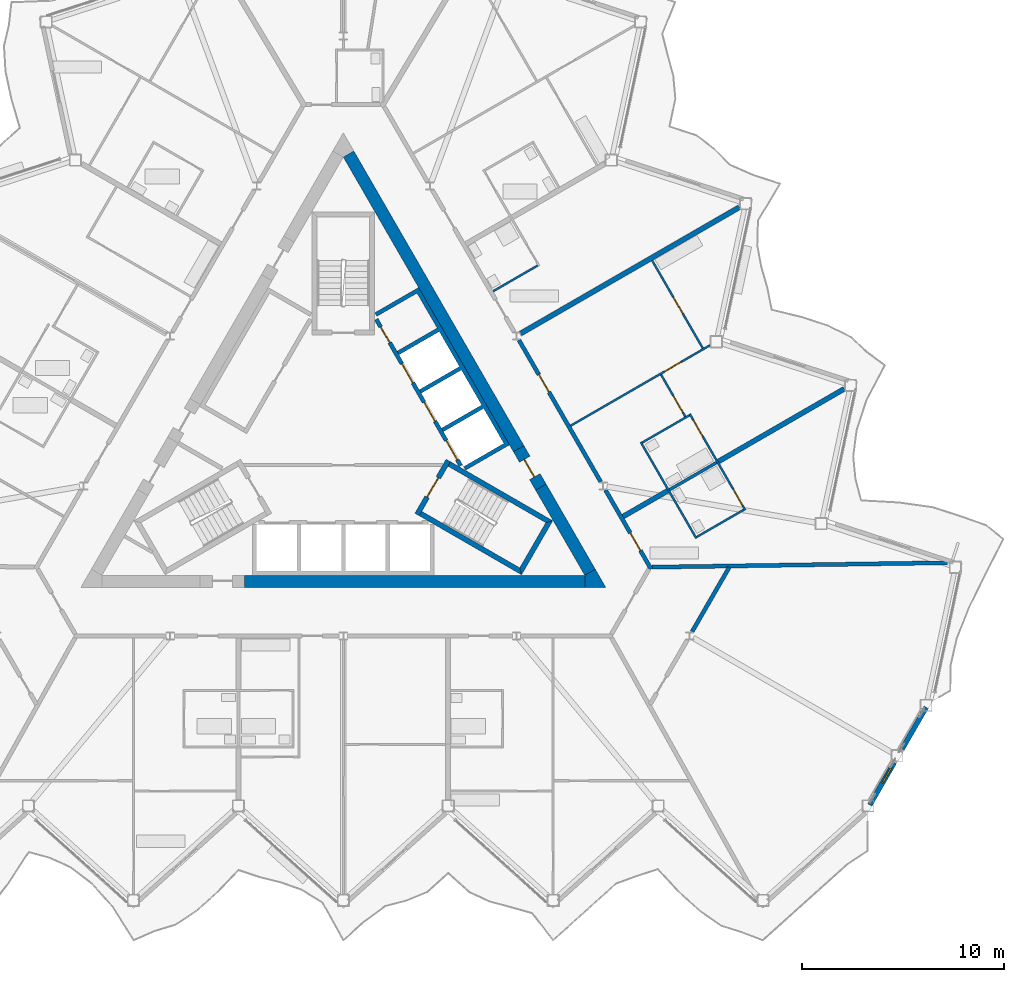
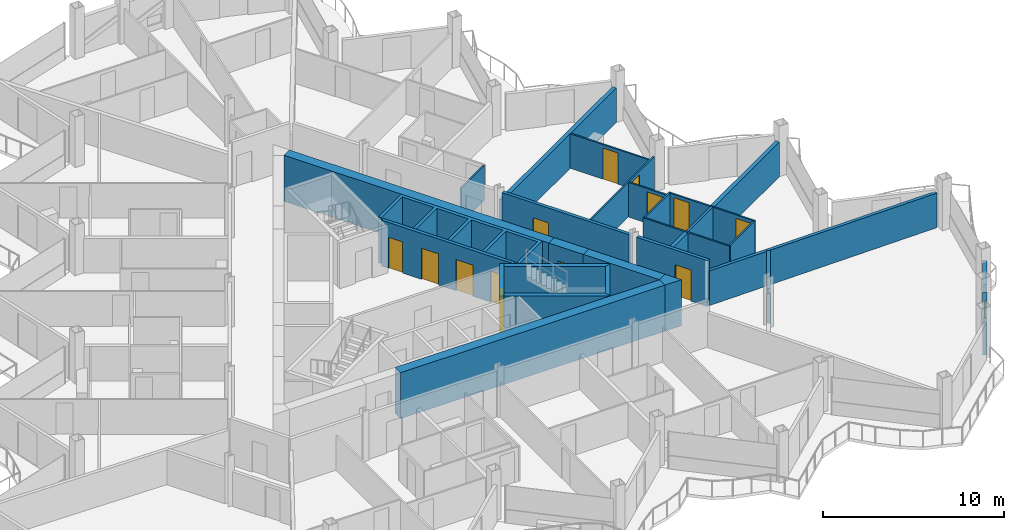
# One storey, part 16 of 26: 29 walls, 13 doors, 1 window, 14 openings.
"""IFC4 building model written with IfcOpenShell, lengths in metres."""

from ifc_helpers import new_model, si_unit, direction, frame, frame_2d, origin, place, context, subcontext, project, spatial, polyline, rectangle, outline, extrude, material, layer, layer_set, type_object, element, fill, save


model = new_model("IFC4")

# Units and contexts
model_context = context("Model", 3, precision=1e-05, world=origin(), true_north=direction((0.0, 1.0)))
body_context = subcontext(model_context, "Body", "Model", "MODEL_VIEW")
ifc_project = project(units=[si_unit("LENGTHUNIT", "METRE"), si_unit("AREAUNIT", "SQUARE_METRE"), si_unit("VOLUMEUNIT", "CUBIC_METRE"), si_unit("PLANEANGLEUNIT", "RADIAN"), si_unit("MASSUNIT", "GRAM", prefix="KILO")], contexts=[model_context])

# Site, building, storey
site_placement = place(None, origin())
site = spatial("IfcSite", under=ifc_project, at=site_placement, CompositionType="ELEMENT")
building_placement = place(site_placement, origin())
building = spatial("IfcBuilding", under=site, at=building_placement, Name="Cormorant Prow Tower", CompositionType="ELEMENT")
storey_placement = place(building_placement, frame((0.0, 0.0, 322.199951171875)))
storey = spatial("IfcBuildingStorey", under=building, at=storey_placement, Name="L71", CompositionType="ELEMENT", Elevation=322.199951171875)

# Walls
ifc_material_1 = material(Name="Concrete 8000 psi", Category="concrete")
ifc_layer_1 = layer(ifc_material_1, 0.60009765625)
ifc_layer_set_1 = layer_set([ifc_layer_1], Name="Concrete 8000 psi")
wall_type_1 = type_object("IfcWallType", Name="Core shear wall 600", PredefinedType="SHEAR", material=ifc_layer_set_1)
for number, where, z_axis, x_axis, name in (
    (1, (-4.89208984375, -7.20556640625, 0.0), (0.0, 0.0, 1.0), (1.0, 0.0, 0.0), "Core wall"),
    (2, (8.686279296875, -0.6337890625, 0.0), (0.0, 0.0, 1.0), (-0.500004601921, 0.866022746848, 0.0), "Core wall"),
):
    element("IfcWall", number, at=place(storey_placement, frame(where, z_axis=z_axis, x_axis=x_axis)), inside=storey, type_object=wall_type_1, Name=name, PredefinedType="SHEAR", context=body_context, shape_type="SweptSolid", body=[
        extrude(rectangle(XDim=16.852783203125, YDim=0.60009765625, at=frame_2d((8.42626953125, 0.0))), origin(), (0.0, 0.0, 1.0), 3.10009765625),
    ])
wall_1_placement = place(storey_placement, frame((12.220703125, -6.755615234375, 0.0), z_axis=(0.0, 0.0, 1.0), x_axis=(-0.50000604952, 0.866021911064, 0.0)))
element("IfcWall", 3, at=wall_1_placement, inside=storey, type_object=wall_type_1, Name="Core wall", PredefinedType="SHEAR", context=body_context, shape_type="SweptSolid", body=[
    extrude(rectangle(XDim=4.86865234375, YDim=0.60009765625, at=frame_2d((2.434326171875, 0.0))), origin(), (0.0, 0.0, 1.0), 3.10009765625),
])
wall_2_placement = place(storey_placement, origin())
element("IfcWall", 4, at=wall_2_placement, inside=storey, type_object=wall_type_1, Name="Core wall corner", PredefinedType="SHEAR", context=body_context, shape_type="SweptSolid", body=[
    extrude(outline(polyline([(11.960693359375, -7.505615234375), (11.960693359375, -6.905517578125), (12.48046875, -6.605712890625), (13.0, -7.505615234375), (11.960693359375, -7.505615234375)])), origin(), (0.0, 0.0, 1.0), 3.10009765625),
])

# Wall, opening, door
wall_3_placement = place(storey_placement, frame((9.786376953125, -2.539306640625, 0.0), z_axis=(0.0, 0.0, 1.0), x_axis=(-0.499981787252, 0.866035918664, 0.0)))
wall_3 = element("IfcWall", 5, at=wall_3_placement, inside=storey, type_object=wall_type_1, Name="Core wall door panel", PredefinedType="SHEAR", context=body_context, shape_type="SweptSolid", body=[
    extrude(rectangle(XDim=2.2001953125, YDim=0.60009765625, at=frame_2d((1.10009765625, 0.0))), origin(), (0.0, 0.0, 1.0), 3.10009765625),
])
opening_1_placement = place(wall_3_placement, frame((0.60009765625, 0.0, 0.0)))
opening_1 = element("IfcOpeningElement", 6, at=opening_1_placement, cuts=wall_3, Name="Opening L71-C15", PredefinedType="OPENING", context=body_context, shape_type="SweptSolid", body=[
    extrude(rectangle(XDim=1.0, YDim=2.10009765625, at=frame_2d((0.5, 1.050048828125))), frame((0.0, 0.31005859375, 0.0), z_axis=(0.0, -1.0, 0.0), x_axis=(1.0, 0.0, 0.0)), (0.0, 0.0, 1.0), 0.6201171875),
])
ifc_material_2 = material(Name="Painted steel", Category="steel")
door_type_1 = type_object("IfcDoorType", Name="Service door 1000x2100", OperationType="NOTDEFINED", PredefinedType="DOOR", material=ifc_material_2)
door_1_placement = place(opening_1_placement, origin())
door_1 = element("IfcDoor", 7, at=door_1_placement, inside=storey, type_object=door_type_1, Name="Core door, Electrical room", OperationType="SINGLE_SWING_LEFT", OverallHeight=2.10009765625, OverallWidth=1.0, PredefinedType="DOOR", context=body_context, shape_type="SweptSolid", body=[
    extrude(rectangle(XDim=1.0, YDim=2.10009765625, at=frame_2d((0.5, 1.050048828125))), frame((0.0, 0.05517578125, 0.0), z_axis=(0.0, -1.0, 0.0), x_axis=(1.0, 0.0, 0.0)), (0.0, 0.0, 1.0), 0.050048828125),
])
fill(opening_1, door_1)

ifc_material_3 = material(Name="Gypsum board corridor wall")
ifc_layer_2 = layer(ifc_material_3, 0.199951171875)
ifc_layer_set_2 = layer_set([ifc_layer_2], Name="Gypsum board corridor wall")
wall_type_2 = type_object("IfcWallType", Name="Corridor wall 200", PredefinedType="PARTITIONING", material=ifc_layer_set_2)
wall_4_placement = place(storey_placement, frame((8.698486328125, 4.7451171875, 0.0), z_axis=(0.0, 0.0, 1.0), x_axis=(0.499984266882, -0.866034487114, 0.0)))
wall_4 = element("IfcWall", 8, at=wall_4_placement, inside=storey, type_object=wall_type_2, Name="Corridor wall", PredefinedType="PARTITIONING", context=body_context, shape_type="SweptSolid", body=[
    extrude(rectangle(XDim=8.098876953125, YDim=0.199951171875, at=frame_2d((4.04931640625, 0.0))), origin(), (0.0, 0.0, 1.0), 3.10009765625),
])
opening_2_placement = place(wall_4_placement, frame((1.975830078125, 0.0, 0.0)))
opening_2 = element("IfcOpeningElement", 9, at=opening_2_placement, cuts=wall_4, Name="Opening L71-F20", PredefinedType="OPENING", context=body_context, shape_type="SweptSolid", body=[
    extrude(rectangle(XDim=1.0, YDim=2.10009765625, at=frame_2d((0.5, 1.050048828125))), frame((0.0, 0.10986328125, 0.0), z_axis=(0.0, -1.0, 0.0), x_axis=(1.0, 0.0, 0.0)), (0.0, 0.0, 1.0), 0.219970703125),
])
ifc_material_4 = material(Name="Timber door leaf", Category="wood")
door_type_2 = type_object("IfcDoorType", Name="Flat or room entrance door 1000x2100", OperationType="NOTDEFINED", PredefinedType="DOOR", material=ifc_material_4)
door_2_placement = place(opening_2_placement, origin())
door_2 = element("IfcDoor", 10, at=door_2_placement, inside=storey, type_object=door_type_2, Name="Living room door", OperationType="SINGLE_SWING_RIGHT", OverallHeight=2.10009765625, OverallWidth=1.0, PredefinedType="DOOR", context=body_context, shape_type="SweptSolid", body=[
    extrude(rectangle(XDim=1.0, YDim=2.10009765625, at=frame_2d((0.5, 1.050048828125))), frame((0.0, 0.02490234375, 0.0), z_axis=(0.0, -1.0, 0.0), x_axis=(1.0, 0.0, 0.0)), (0.0, 0.0, 1.0), 0.050048828125),
])
fill(opening_2, door_2)

wall_5_placement = place(storey_placement, frame((12.987548828125, -2.68408203125, 0.0), z_axis=(0.0, 0.0, 1.0), x_axis=(0.49999094734, -0.866030630277, 0.0)))
wall_5 = element("IfcWall", 11, at=wall_5_placement, inside=storey, type_object=wall_type_2, Name="Corridor wall", PredefinedType="PARTITIONING", context=body_context, shape_type="SweptSolid", body=[
    extrude(rectangle(XDim=4.5126953125, YDim=0.199951171875, at=frame_2d((2.25634765625, 0.0))), origin(), (0.0, 0.0, 1.0), 3.10009765625),
])
opening_3_placement = place(wall_5_placement, frame((2.459228515625, 0.0, 0.0)))
opening_3 = element("IfcOpeningElement", 12, at=opening_3_placement, cuts=wall_5, Name="Opening L71-F18", PredefinedType="OPENING", context=body_context, shape_type="SweptSolid", body=[
    extrude(rectangle(XDim=1.0, YDim=2.10009765625, at=frame_2d((0.5, 1.050048828125))), frame((0.0, 0.10986328125, 0.0), z_axis=(0.0, -1.0, 0.0), x_axis=(1.0, 0.0, 0.0)), (0.0, 0.0, 1.0), 0.219970703125),
])
door_3_placement = place(opening_3_placement, origin())
door_3 = element("IfcDoor", 13, at=door_3_placement, inside=storey, type_object=door_type_2, Name="Studio living, kitchen and sleeping room door", OperationType="SINGLE_SWING_LEFT", OverallHeight=2.10009765625, OverallWidth=1.0, PredefinedType="DOOR", context=body_context, shape_type="SweptSolid", body=[
    extrude(rectangle(XDim=1.0, YDim=2.10009765625, at=frame_2d((0.5, 1.050048828125))), frame((0.0, 0.02490234375, 0.0), z_axis=(0.0, -1.0, 0.0), x_axis=(1.0, 0.0, 0.0)), (0.0, 0.0, 1.0), 0.050048828125),
])
fill(opening_3, door_3)

# Walls
ifc_material_5 = material(Name="Gypsum board demising wall")
ifc_layer_3 = layer(ifc_material_5, 0.199951171875)
ifc_layer_set_3 = layer_set([ifc_layer_3], Name="Gypsum board demising wall")
wall_type_3 = type_object("IfcWallType", Name="Demising wall 200", PredefinedType="PARTITIONING", material=ifc_layer_set_3)
wall_6_placement = place(storey_placement, frame((15.2939453125, -6.50390625, 0.0), z_axis=(0.0, 0.0, 1.0), x_axis=(0.999886982846, 0.015034012608, 0.0)))
element("IfcWall", 14, at=wall_6_placement, inside=storey, type_object=wall_type_3, Name="Demising wall", PredefinedType="PARTITIONING", context=body_context, shape_type="SweptSolid", body=[
    extrude(rectangle(XDim=14.631591796875, YDim=0.199951171875, at=frame_2d((7.31591796875, 0.0))), origin(), (0.0, 0.0, 1.0), 2.330078125),
])
wall_7_placement = place(storey_placement, frame((17.27685546875, -9.697998046875, 0.0), z_axis=(0.0, 0.0, 1.0), x_axis=(0.499978535015, 0.866037796245, 0.0)))
element("IfcWall", 15, at=wall_7_placement, inside=storey, type_object=wall_type_3, Name="Demising wall", PredefinedType="PARTITIONING", context=body_context, shape_type="SweptSolid", body=[
    extrude(rectangle(XDim=3.686279296875, YDim=0.199951171875, at=frame_2d((1.84326171875, 0.0))), origin(), (0.0, 0.0, 1.0), 2.330078125),
])

# Wall, opening, door
ifc_material_6 = material(Name="Gypsum board partition")
ifc_layer_4 = layer(ifc_material_6, 0.10009765625)
ifc_layer_set_4 = layer_set([ifc_layer_4], Name="Gypsum board partition")
wall_type_4 = type_object("IfcWallType", Name="Internal partition 100", PredefinedType="PARTITIONING", material=ifc_layer_set_4)
wall_8_placement = place(storey_placement, frame((11.262451171875, 0.50390625, 0.0), z_axis=(0.0, 0.0, 1.0), x_axis=(0.866020217342, 0.500008983073, 0.0)))
wall_8 = element("IfcWall", 16, at=wall_8_placement, inside=storey, type_object=wall_type_4, Name="Internal partition", PredefinedType="PARTITIONING", context=body_context, shape_type="SweptSolid", body=[
    extrude(rectangle(XDim=7.965576171875, YDim=0.10009765625, at=frame_2d((3.98291015625, 0.0))), origin(), (0.0, 0.0, 1.0), 2.330078125),
])
opening_4_placement = place(wall_8_placement, frame((5.3623046875, 0.0, 0.0)))
opening_4 = element("IfcOpeningElement", 17, at=opening_4_placement, cuts=wall_8, Name="Opening L71-F22", PredefinedType="OPENING", context=body_context, shape_type="SweptSolid", body=[
    extrude(rectangle(XDim=0.949951171875, YDim=2.10009765625, at=frame_2d((0.47509765625, 1.050048828125))), frame((0.0, 0.06005859375, 0.0), z_axis=(0.0, -1.0, 0.0), x_axis=(1.0, 0.0, 0.0)), (0.0, 0.0, 1.0), 0.1201171875),
])
ifc_material_7 = material(Name="Timber door leaf", Category="wood")
door_type_3 = type_object("IfcDoorType", Name="Bathroom door 950x2100", OperationType="NOTDEFINED", PredefinedType="DOOR", material=ifc_material_7)
door_4_placement = place(opening_4_placement, origin())
door_4 = element("IfcDoor", 18, at=door_4_placement, inside=storey, type_object=door_type_3, Name="Living room door", OperationType="SINGLE_SWING_LEFT", OverallHeight=2.10009765625, OverallWidth=0.949951171875, PredefinedType="DOOR", context=body_context, shape_type="SweptSolid", body=[
    extrude(rectangle(XDim=0.949951171875, YDim=2.10009765625, at=frame_2d((0.47509765625, 1.050048828125))), frame((0.0, 0.02490234375, 0.0), z_axis=(0.0, -1.0, 0.0), x_axis=(1.0, 0.0, 0.0)), (0.0, 0.0, 1.0), 0.050048828125),
])
fill(opening_4, door_4)

# Wall, openings, doors
wall_9_placement = place(storey_placement, frame((17.161376953125, 1.0869140625, 0.0), z_axis=(0.0, 0.0, 1.0), x_axis=(0.499996545922, -0.866027397988, 0.0)))
wall_9 = element("IfcWall", 19, at=wall_9_placement, inside=storey, type_object=wall_type_4, Name="Internal partition", PredefinedType="PARTITIONING", context=body_context, shape_type="SweptSolid", body=[
    extrude(rectangle(XDim=5.5, YDim=0.10009765625, at=frame_2d((2.75, 0.0))), origin(), (0.0, 0.0, 1.0), 2.330078125),
])
opening_5_placement = place(wall_9_placement, frame((4.300048828125, 0.0, 0.0)))
opening_5 = element("IfcOpeningElement", 20, at=opening_5_placement, cuts=wall_9, Name="Opening L71-F19", PredefinedType="OPENING", context=body_context, shape_type="SweptSolid", body=[
    extrude(rectangle(XDim=0.949951171875, YDim=2.10009765625, at=frame_2d((0.47509765625, 1.050048828125))), frame((0.0, 0.06005859375, 0.0), z_axis=(0.0, -1.0, 0.0), x_axis=(1.0, 0.0, 0.0)), (0.0, 0.0, 1.0), 0.1201171875),
])
opening_6_placement = place(wall_9_placement, frame((0.351318359375, 0.0, 0.0)))
opening_6 = element("IfcOpeningElement", 21, at=opening_6_placement, cuts=wall_9, Name="Opening L71-F24", PredefinedType="OPENING", context=body_context, shape_type="SweptSolid", body=[
    extrude(rectangle(XDim=0.949951171875, YDim=2.10009765625, at=frame_2d((0.47509765625, 1.050048828125))), frame((0.0, 0.06005859375, 0.0), z_axis=(0.0, -1.0, 0.0), x_axis=(1.0, 0.0, 0.0)), (0.0, 0.0, 1.0), 0.1201171875),
])
door_5_placement = place(opening_5_placement, origin())
door_5 = element("IfcDoor", 22, at=door_5_placement, inside=storey, type_object=door_type_3, Name="Studio living, kitchen and sleeping room door", OperationType="SINGLE_SWING_RIGHT", OverallHeight=2.10009765625, OverallWidth=0.949951171875, PredefinedType="DOOR", context=body_context, shape_type="SweptSolid", body=[
    extrude(rectangle(XDim=0.949951171875, YDim=2.10009765625, at=frame_2d((0.47509765625, 1.050048828125))), frame((0.0, 0.02490234375, 0.0), z_axis=(0.0, -1.0, 0.0), x_axis=(1.0, 0.0, 0.0)), (0.0, 0.0, 1.0), 0.050048828125),
])
fill(opening_5, door_5)
door_6_placement = place(opening_6_placement, origin())
door_6 = element("IfcDoor", 23, at=door_6_placement, inside=storey, type_object=door_type_3, Name="Bedroom door", OperationType="SINGLE_SWING_LEFT", OverallHeight=2.10009765625, OverallWidth=0.949951171875, PredefinedType="DOOR", context=body_context, shape_type="SweptSolid", body=[
    extrude(rectangle(XDim=0.949951171875, YDim=2.10009765625, at=frame_2d((0.47509765625, 1.050048828125))), frame((0.0, 0.02490234375, 0.0), z_axis=(0.0, -1.0, 0.0), x_axis=(1.0, 0.0, 0.0)), (0.0, 0.0, 1.0), 0.050048828125),
])
fill(opening_6, door_6)

# Wall
wall_10_placement = place(storey_placement, frame((14.736328125, -0.31298828125, 0.0), z_axis=(0.0, 0.0, 1.0), x_axis=(0.49997732567, -0.866038494419, 0.0)))
element("IfcWall", 24, at=wall_10_placement, inside=storey, type_object=wall_type_4, Name="Internal partition", PredefinedType="PARTITIONING", context=body_context, shape_type="SweptSolid", body=[
    extrude(rectangle(XDim=5.500244140625, YDim=0.10009765625, at=frame_2d((2.75, 0.0))), origin(), (0.0, 0.0, 1.0), 2.330078125),
])

# Wall, opening, door
wall_11_placement = place(storey_placement, frame((15.29736328125, 8.6875, 0.0), z_axis=(0.0, 0.0, 1.0), x_axis=(0.499989096993, -0.866031698547, 0.0)))
wall_11 = element("IfcWall", 25, at=wall_11_placement, inside=storey, type_object=wall_type_4, Name="Internal partition", PredefinedType="PARTITIONING", context=body_context, shape_type="SweptSolid", body=[
    extrude(rectangle(XDim=5.01953125, YDim=0.10009765625, at=frame_2d((2.509765625, 0.0))), origin(), (0.0, 0.0, 1.0), 2.330078125),
])
opening_7_placement = place(wall_11_placement, frame((2.0859375, 0.0, 0.0)))
opening_7 = element("IfcOpeningElement", 26, at=opening_7_placement, cuts=wall_11, Name="Opening L71-F21", PredefinedType="OPENING", context=body_context, shape_type="SweptSolid", body=[
    extrude(rectangle(XDim=0.949951171875, YDim=2.10009765625, at=frame_2d((0.47509765625, 1.050048828125))), frame((0.0, 0.06005859375, 0.0), z_axis=(0.0, -1.0, 0.0), x_axis=(1.0, 0.0, 0.0)), (0.0, 0.0, 1.0), 0.1201171875),
])
door_7_placement = place(opening_7_placement, origin())
door_7 = element("IfcDoor", 27, at=door_7_placement, inside=storey, type_object=door_type_3, Name="Living room door", OperationType="SINGLE_SWING_RIGHT", OverallHeight=2.10009765625, OverallWidth=0.949951171875, PredefinedType="DOOR", context=body_context, shape_type="SweptSolid", body=[
    extrude(rectangle(XDim=0.949951171875, YDim=2.10009765625, at=frame_2d((0.47509765625, 1.050048828125))), frame((0.0, 0.02490234375, 0.0), z_axis=(0.0, -1.0, 0.0), x_axis=(1.0, 0.0, 0.0)), (0.0, 0.0, 1.0), 0.050048828125),
])
fill(opening_7, door_7)

# Walls
wall_12_placement = place(storey_placement, frame((17.504638671875, -5.008056640625, 0.0), z_axis=(0.0, 0.0, 1.0), x_axis=(0.866019956843, 0.50000943426, 0.0)))
element("IfcWall", 28, at=wall_12_placement, inside=storey, type_object=wall_type_4, Name="Internal partition", PredefinedType="PARTITIONING", context=body_context, shape_type="SweptSolid", body=[
    extrude(rectangle(XDim=2.7001953125, YDim=0.10009765625, at=frame_2d((1.35009765625, 0.0))), origin(), (0.0, 0.0, 1.0), 2.330078125),
])
wall_13_placement = place(storey_placement, frame((14.8046875, -0.331298828125, 0.0), z_axis=(0.0, 0.0, 1.0), x_axis=(0.866059108428, 0.4999416173, 0.0)))
element("IfcWall", 29, at=wall_13_placement, inside=storey, type_object=wall_type_4, Name="Internal partition", PredefinedType="PARTITIONING", context=body_context, shape_type="SweptSolid", body=[
    extrude(rectangle(XDim=2.699951171875, YDim=0.10009765625, at=frame_2d((1.35009765625, 0.0))), origin(), (0.0, 0.0, 1.0), 2.330078125),
])
wall_14_placement = place(storey_placement, frame((7.417724609375, 7.163330078125, 0.0), z_axis=(0.0, 0.0, 1.0), x_axis=(0.866054858364, 0.499948979701, 0.0)))
element("IfcWall", 30, at=wall_14_placement, inside=storey, type_object=wall_type_4, Name="Internal partition", PredefinedType="PARTITIONING", context=body_context, shape_type="SweptSolid", body=[
    extrude(rectangle(XDim=2.550048828125, YDim=0.10009765625, at=frame_2d((1.27490234375, 0.0))), origin(), (0.0, 0.0, 1.0), 2.330078125),
])

# Wall, opening, door
wall_15_placement = place(storey_placement, frame((15.740478515625, 3.03173828125, 0.0), z_axis=(0.0, 0.0, 1.0), x_axis=(0.500075453945, -0.865981836046, 0.0)))
wall_15 = element("IfcWall", 31, at=wall_15_placement, inside=storey, type_object=wall_type_4, Name="Internal partition", PredefinedType="PARTITIONING", context=body_context, shape_type="SweptSolid", body=[
    extrude(rectangle(XDim=2.394775390625, YDim=0.10009765625, at=frame_2d((1.197265625, 0.0))), origin(), (0.0, 0.0, 1.0), 2.330078125),
])
opening_8_placement = place(wall_15_placement, frame((1.19482421875, 0.0, 0.0)))
opening_8 = element("IfcOpeningElement", 32, at=opening_8_placement, cuts=wall_15, Name="Opening L71-F23", PredefinedType="OPENING", context=body_context, shape_type="SweptSolid", body=[
    extrude(rectangle(XDim=0.949951171875, YDim=2.10009765625, at=frame_2d((0.47509765625, 1.050048828125))), frame((0.0, 0.06005859375, 0.0), z_axis=(0.0, -1.0, 0.0), x_axis=(1.0, 0.0, 0.0)), (0.0, 0.0, 1.0), 0.1201171875),
])
door_8_placement = place(opening_8_placement, origin())
door_8 = element("IfcDoor", 33, at=door_8_placement, inside=storey, type_object=door_type_3, Name="Bedroom door", OperationType="SINGLE_SWING_RIGHT", OverallHeight=2.10009765625, OverallWidth=0.949951171875, PredefinedType="DOOR", context=body_context, shape_type="SweptSolid", body=[
    extrude(rectangle(XDim=0.949951171875, YDim=2.10009765625, at=frame_2d((0.47509765625, 1.050048828125))), frame((0.0, 0.02490234375, 0.0), z_axis=(0.0, -1.0, 0.0), x_axis=(1.0, 0.0, 0.0)), (0.0, 0.0, 1.0), 0.050048828125),
])
fill(opening_8, door_8)

# Wall, openings, doors
ifc_material_8 = material(Name="Concrete 5000 psi", Category="concrete")
ifc_layer_5 = layer(ifc_material_8, 0.199951171875)
ifc_layer_set_5 = layer_set([ifc_layer_5], Name="Concrete 5000 psi")
wall_type_5 = type_object("IfcWallType", Name="Lift lobby wall 200", PredefinedType="SOLIDWALL", material=ifc_layer_set_5)
wall_16_placement = place(storey_placement, frame((5.817138671875, -1.4755859375, 0.0), z_axis=(0.0, 0.0, 1.0), x_axis=(-0.500002616675, 0.866023893041, 0.0)))
wall_16 = element("IfcWall", 34, at=wall_16_placement, inside=storey, type_object=wall_type_5, Name="Lift lobby wall, ENE block", PredefinedType="SOLIDWALL", context=body_context, shape_type="SweptSolid", body=[
    extrude(rectangle(XDim=8.373046875, YDim=0.199951171875, at=frame_2d((4.1865234375, 0.0))), origin(), (0.0, 0.0, 1.0), 3.10009765625),
])
opening_9_placement = place(wall_16_placement, frame((0.336669921875, 0.0, 0.0)))
opening_9 = element("IfcOpeningElement", 35, at=opening_9_placement, cuts=wall_16, Name="Opening L71-C05", PredefinedType="OPENING", context=body_context, shape_type="SweptSolid", body=[
    extrude(rectangle(XDim=1.10009765625, YDim=2.10009765625, at=frame_2d((0.550048828125, 1.050048828125))), frame((0.0, 0.10986328125, 0.0), z_axis=(0.0, -1.0, 0.0), x_axis=(1.0, 0.0, 0.0)), (0.0, 0.0, 1.0), 0.219970703125),
])
opening_10_placement = place(wall_16_placement, frame((2.53662109375, 0.0, 0.0)))
opening_10 = element("IfcOpeningElement", 36, at=opening_10_placement, cuts=wall_16, Name="Opening L71-C06", PredefinedType="OPENING", context=body_context, shape_type="SweptSolid", body=[
    extrude(rectangle(XDim=1.10009765625, YDim=2.10009765625, at=frame_2d((0.550048828125, 1.050048828125))), frame((0.0, 0.10986328125, 0.0), z_axis=(0.0, -1.0, 0.0), x_axis=(1.0, 0.0, 0.0)), (0.0, 0.0, 1.0), 0.219970703125),
])
opening_11_placement = place(wall_16_placement, frame((4.736572265625, 0.0, 0.0)))
opening_11 = element("IfcOpeningElement", 37, at=opening_11_placement, cuts=wall_16, Name="Opening L71-C07", PredefinedType="OPENING", context=body_context, shape_type="SweptSolid", body=[
    extrude(rectangle(XDim=1.10009765625, YDim=2.10009765625, at=frame_2d((0.550048828125, 1.050048828125))), frame((0.0, 0.10986328125, 0.0), z_axis=(0.0, -1.0, 0.0), x_axis=(1.0, 0.0, 0.0)), (0.0, 0.0, 1.0), 0.219970703125),
])
opening_12_placement = place(wall_16_placement, frame((7.03662109375, 0.0, 0.0)))
opening_12 = element("IfcOpeningElement", 38, at=opening_12_placement, cuts=wall_16, Name="Opening L71-C08", PredefinedType="OPENING", context=body_context, shape_type="SweptSolid", body=[
    extrude(rectangle(XDim=0.89990234375, YDim=2.10009765625, at=frame_2d((0.449951171875, 1.050048828125))), frame((0.0, 0.10986328125, 0.0), z_axis=(0.0, -1.0, 0.0), x_axis=(1.0, 0.0, 0.0)), (0.0, 0.0, 1.0), 0.219970703125),
])
ifc_material_9 = material(Name="Painted steel", Category="steel")
door_type_4 = type_object("IfcDoorType", Name="Lift landing door 1100x2100", OperationType="SLIDING_TO_LEFT", PredefinedType="DOOR", material=ifc_material_9)
door_9_placement = place(opening_9_placement, origin())
door_9 = element("IfcDoor", 39, at=door_9_placement, inside=storey, type_object=door_type_4, Name="Landing door HR2", OperationType="SLIDING_TO_LEFT", OverallHeight=2.10009765625, OverallWidth=1.10009765625, PredefinedType="DOOR", context=body_context, shape_type="SweptSolid", body=[
    extrude(rectangle(XDim=1.10009765625, YDim=2.10009765625, at=frame_2d((0.550048828125, 1.050048828125))), frame((0.0, 0.02490234375, 0.0), z_axis=(0.0, -1.0, 0.0), x_axis=(1.0, 0.0, 0.0)), (0.0, 0.0, 1.0), 0.050048828125),
])
fill(opening_9, door_9)
door_10_placement = place(opening_10_placement, origin())
door_10 = element("IfcDoor", 40, at=door_10_placement, inside=storey, type_object=door_type_4, Name="Landing door HR3", OperationType="SLIDING_TO_LEFT", OverallHeight=2.10009765625, OverallWidth=1.10009765625, PredefinedType="DOOR", context=body_context, shape_type="SweptSolid", body=[
    extrude(rectangle(XDim=1.10009765625, YDim=2.10009765625, at=frame_2d((0.550048828125, 1.050048828125))), frame((0.0, 0.02490234375, 0.0), z_axis=(0.0, -1.0, 0.0), x_axis=(1.0, 0.0, 0.0)), (0.0, 0.0, 1.0), 0.050048828125),
])
fill(opening_10, door_10)
door_11_placement = place(opening_11_placement, origin())
door_11 = element("IfcDoor", 41, at=door_11_placement, inside=storey, type_object=door_type_4, Name="Landing door HR4", OperationType="SLIDING_TO_LEFT", OverallHeight=2.10009765625, OverallWidth=1.10009765625, PredefinedType="DOOR", context=body_context, shape_type="SweptSolid", body=[
    extrude(rectangle(XDim=1.10009765625, YDim=2.10009765625, at=frame_2d((0.550048828125, 1.050048828125))), frame((0.0, 0.02490234375, 0.0), z_axis=(0.0, -1.0, 0.0), x_axis=(1.0, 0.0, 0.0)), (0.0, 0.0, 1.0), 0.050048828125),
])
fill(opening_11, door_11)
ifc_material_10 = material(Name="Painted steel", Category="steel")
door_type_5 = type_object("IfcDoorType", Name="Service door 900x2100", OperationType="NOTDEFINED", PredefinedType="DOOR", material=ifc_material_10)
door_12_placement = place(opening_12_placement, origin())
door_12 = element("IfcDoor", 42, at=door_12_placement, inside=storey, type_object=door_type_5, Name="Service door, Pantry store", OperationType="SINGLE_SWING_RIGHT", OverallHeight=2.10009765625, OverallWidth=0.89990234375, PredefinedType="DOOR", context=body_context, shape_type="SweptSolid", body=[
    extrude(rectangle(XDim=0.89990234375, YDim=2.10009765625, at=frame_2d((0.449951171875, 1.050048828125))), frame((0.0, 0.02490234375, 0.0), z_axis=(0.0, -1.0, 0.0), x_axis=(1.0, 0.0, 0.0)), (0.0, 0.0, 1.0), 0.050048828125),
])
fill(opening_12, door_12)

# Walls
ifc_material_11 = material(Name="Concrete 8000 psi", Category="concrete")
ifc_layer_6 = layer(ifc_material_11, 0.199951171875)
ifc_layer_set_6 = layer_set([ifc_layer_6], Name="Concrete 8000 psi")
wall_type_6 = type_object("IfcWallType", Name="Lift shaft wall 200", PredefinedType="SHEAR", material=ifc_layer_set_6)
wall_17_placement = place(storey_placement, origin())
element("IfcWall", 43, at=wall_17_placement, inside=storey, type_object=wall_type_6, Name="Lift shaft walls, ENE block", PredefinedType="SHEAR", context=body_context, shape_type="SweptSolid", body=[
    extrude(outline(polyline([(1.560546875, 6.09716796875), (3.730712890625, 7.35009765625), (8.230712890625, -0.444091796875), (6.060546875, -1.697021484375), (5.96044921875, -1.52392578125), (7.952392578125, -0.373779296875), (6.952392578125, 1.358154296875), (4.96044921875, 0.2080078125), (4.860595703125, 0.38134765625), (6.852294921875, 1.53125), (5.852294921875, 3.263427734375), (3.860595703125, 2.11328125), (3.760498046875, 2.28662109375), (5.75244140625, 3.4365234375), (4.75244140625, 5.168701171875), (2.760498046875, 4.018798828125), (2.660400390625, 4.19189453125), (4.65234375, 5.341796875), (3.65234375, 7.073974609375), (1.660400390625, 5.923828125), (1.560546875, 6.09716796875)])), origin(), (0.0, 0.0, 1.0), 3.10009765625),
])
ifc_material_12 = material(Name="Concrete 8000 psi", Category="concrete")
ifc_layer_7 = layer(ifc_material_12, 0.25)
ifc_layer_set_7 = layer_set([ifc_layer_7], Name="Concrete 8000 psi")
wall_type_7 = type_object("IfcWallType", Name="Stair wall 250", PredefinedType="SHEAR", material=ifc_layer_set_7)
wall_18_placement = place(storey_placement, origin())
element("IfcWall", 44, at=wall_18_placement, inside=storey, type_object=wall_type_7, Name="Stair ST2 enclosure wall (flank)", PredefinedType="SHEAR", context=body_context, shape_type="SweptSolid", body=[
    extrude(outline(polyline([(3.76318359375, -3.95556640625), (8.82958984375, -6.880615234375), (8.738037109375, -6.5390625), (3.88818359375, -3.739013671875), (3.76318359375, -3.95556640625)])), origin(), (0.0, 0.0, 1.0), 3.10009765625),
])
wall_19_placement = place(storey_placement, origin())
element("IfcWall", 45, at=wall_19_placement, inside=storey, type_object=wall_type_7, Name="Stair ST2 enclosure wall (end)", PredefinedType="SHEAR", context=body_context, shape_type="SweptSolid", body=[
    extrude(outline(polyline([(8.82958984375, -6.880615234375), (10.37353515625, -4.206298828125), (10.031982421875, -4.2978515625), (8.738037109375, -6.5390625), (8.82958984375, -6.880615234375)])), origin(), (0.0, 0.0, 1.0), 3.10009765625),
])
wall_20_placement = place(storey_placement, origin())
element("IfcWall", 46, at=wall_20_placement, inside=storey, type_object=wall_type_7, Name="Stair ST2 enclosure wall (flank)", PredefinedType="SHEAR", context=body_context, shape_type="SweptSolid", body=[
    extrude(outline(polyline([(10.031982421875, -4.2978515625), (10.37353515625, -4.206298828125), (5.30712890625, -1.28125), (5.18212890625, -1.497802734375), (10.031982421875, -4.2978515625)])), origin(), (0.0, 0.0, 1.0), 3.10009765625),
])

# Wall, opening, door
wall_21_placement = place(storey_placement, frame((3.655029296875, -3.89306640625, 0.0), z_axis=(0.0, 0.0, 1.0), x_axis=(0.499982516597, 0.866035497597, 0.0)))
wall_21 = element("IfcWall", 47, at=wall_21_placement, inside=storey, type_object=wall_type_7, Name="Stair ST2 door wall", PredefinedType="SHEAR", context=body_context, shape_type="SweptSolid", body=[
    extrude(rectangle(XDim=3.087890625, YDim=0.25, at=frame_2d((1.5439453125, 0.0))), origin(), (0.0, 0.0, 1.0), 3.10009765625),
])
opening_13_placement = place(wall_21_placement, frame((0.993896484375, 0.0, 0.0)))
opening_13 = element("IfcOpeningElement", 48, at=opening_13_placement, cuts=wall_21, Name="Opening L71-C12", PredefinedType="OPENING", context=body_context, shape_type="SweptSolid", body=[
    extrude(rectangle(XDim=1.10009765625, YDim=2.10009765625, at=frame_2d((0.550048828125, 1.050048828125))), frame((0.0, 0.135009765625, 0.0), z_axis=(0.0, -1.0, 0.0), x_axis=(1.0, 0.0, 0.0)), (0.0, 0.0, 1.0), 0.27001953125),
])
ifc_material_13 = material(Name="Painted steel", Category="steel")
door_type_6 = type_object("IfcDoorType", Name="Stair door 1100x2100", OperationType="NOTDEFINED", PredefinedType="DOOR", material=ifc_material_13)
door_13_placement = place(opening_13_placement, origin())
door_13 = element("IfcDoor", 49, at=door_13_placement, inside=storey, type_object=door_type_6, Name="Stair ST2 door", OperationType="SINGLE_SWING_RIGHT", OverallHeight=2.10009765625, OverallWidth=1.10009765625, PredefinedType="DOOR", context=body_context, shape_type="SweptSolid", body=[
    extrude(rectangle(XDim=1.10009765625, YDim=2.10009765625, at=frame_2d((0.550048828125, 1.050048828125))), frame((0.0, 0.02490234375, 0.0), z_axis=(0.0, -1.0, 0.0), x_axis=(1.0, 0.0, 0.0)), (0.0, 0.0, 1.0), 0.050048828125),
])
fill(opening_13, door_13)

# Walls
ifc_material_14 = material(Name="Acoustic gypsum party wall")
ifc_layer_8 = layer(ifc_material_14, 0.25)
ifc_layer_set_8 = layer_set([ifc_layer_8], Name="Acoustic gypsum party wall")
wall_type_8 = type_object("IfcWallType", Name="Suite party wall 250", PredefinedType="PARTITIONING", material=ifc_layer_set_8)
wall_22_placement = place(storey_placement, frame((8.7861328125, 5.07275390625, 0.0), z_axis=(0.0, 0.0, 1.0), x_axis=(0.86602139559, 0.500006942333, 0.0)))
element("IfcWall", 50, at=wall_22_placement, inside=storey, type_object=wall_type_8, Name="Suite party wall", PredefinedType="PARTITIONING", context=body_context, shape_type="SweptSolid", body=[
    extrude(rectangle(XDim=12.504638671875, YDim=0.25, at=frame_2d((6.25244140625, 0.0))), origin(), (0.0, 0.0, 1.0), 2.330078125),
])
wall_23_placement = place(storey_placement, frame((18.57958984375, -1.269775390625, 0.0), z_axis=(0.0, 0.0, 1.0), x_axis=(0.866024647952, 0.500001309137, 0.0)))
element("IfcWall", 51, at=wall_23_placement, inside=storey, type_object=wall_type_8, Name="Suite party wall", PredefinedType="PARTITIONING", context=body_context, shape_type="SweptSolid", body=[
    extrude(rectangle(XDim=7.19970703125, YDim=0.25, at=frame_2d((3.599853515625, 0.0))), origin(), (0.0, 0.0, 1.0), 2.330078125),
])
wall_24_placement = place(storey_placement, frame((13.85986328125, -3.99462890625, 0.0), z_axis=(0.0, 0.0, 1.0), x_axis=(0.866030925526, 0.499990435942, 0.0)))
element("IfcWall", 52, at=wall_24_placement, inside=storey, type_object=wall_type_8, Name="Suite party wall", PredefinedType="PARTITIONING", context=body_context, shape_type="SweptSolid", body=[
    extrude(rectangle(XDim=2.5498046875, YDim=0.25, at=frame_2d((1.27490234375, 0.0))), origin(), (0.0, 0.0, 1.0), 2.330078125),
])

# Wall, opening, window
ifc_material_15 = material(Name="Terracotta", Category="masonry")
ifc_layer_9 = layer(ifc_material_15, 0.25)
ifc_layer_set_9 = layer_set([ifc_layer_9], Name="Terracotta")
wall_type_9 = type_object("IfcWallType", Name="Terracotta bay wall 250", PredefinedType="SOLIDWALL", material=ifc_layer_set_9)
wall_25_placement = place(storey_placement, frame((26.082275390625, -18.27978515625, 0.0), z_axis=(0.0, 0.0, 1.0), x_axis=(0.50001992892, 0.866013897511, 0.0)))
wall_25 = element("IfcWall", 53, at=wall_25_placement, inside=storey, type_object=wall_type_9, Name="Terracotta bay wall ESE00", PredefinedType="SOLIDWALL", context=body_context, shape_type="SweptSolid", body=[
    extrude(rectangle(XDim=2.41552734375, YDim=0.25, at=frame_2d((1.207763671875, 0.0))), origin(), (0.0, 0.0, 1.0), 2.488037109375),
])
opening_14_placement = place(wall_25_placement, frame((1.25, 0.0, 1.60009765625)))
opening_14 = element("IfcOpeningElement", 54, at=opening_14_placement, cuts=wall_25, Name="Opening WN7", PredefinedType="OPENING", context=body_context, shape_type="SweptSolid", body=[
    extrude(rectangle(XDim=0.89990234375, YDim=0.60009765625, at=frame_2d((0.449951171875, 0.300048828125))), frame((0.0, 0.135009765625, 0.0), z_axis=(0.0, -1.0, 0.0), x_axis=(1.0, 0.0, 0.0)), (0.0, 0.0, 1.0), 0.27001953125),
])
ifc_material_16 = material(Name="Aluminium 6063-T6", Category="aluminium")
window_type = type_object("IfcWindowType", Name="Corner bay window 900x600", PartitioningType="SINGLE_PANEL", PredefinedType="WINDOW", material=ifc_material_16)
window_placement = place(opening_14_placement, origin())
window = element("IfcWindow", 55, at=window_placement, inside=storey, type_object=window_type, Name="Corner bay window ESE00", OverallHeight=0.60009765625, OverallWidth=0.89990234375, PartitioningType="SINGLE_PANEL", PredefinedType="WINDOW", context=body_context, shape_type="SweptSolid", body=[
    extrude(rectangle(XDim=0.89990234375, YDim=0.60009765625, at=frame_2d((0.449951171875, 0.300048828125))), frame((0.0, 0.030029296875, 0.0), z_axis=(0.0, -1.0, 0.0), x_axis=(1.0, 0.0, 0.0)), (0.0, 0.0, 1.0), 0.06005859375),
])
fill(opening_14, window)

# Walls
wall_26_placement = place(storey_placement, frame((27.6796875, -15.512939453125, 0.0), z_axis=(0.0, 0.0, 1.0), x_axis=(0.499982446489, 0.866035538072, 0.0)))
element("IfcWall", 56, at=wall_26_placement, inside=storey, type_object=wall_type_9, Name="Terracotta bay wall ESE01", PredefinedType="SOLIDWALL", context=body_context, shape_type="SweptSolid", body=[
    extrude(rectangle(XDim=2.38427734375, YDim=0.25, at=frame_2d((1.192138671875, 0.0))), origin(), (0.0, 0.0, 1.0), 2.488037109375),
])
ifc_material_17 = material(Name="Plasterboard wet wall with pipe chase")
ifc_layer_10 = layer(ifc_material_17, 0.14990234375)
ifc_layer_set_10 = layer_set([ifc_layer_10], Name="Plasterboard wet wall with pipe chase")
wall_type_10 = type_object("IfcWallType", Name="Wet wall 150", PredefinedType="PLUMBINGWALL", material=ifc_layer_set_10)
wall_27_placement = place(storey_placement, frame((16.15478515625, -2.669677734375, 0.0), z_axis=(0.0, 0.0, 1.0), x_axis=(0.86599734893, 0.500048589285, 0.0)))
element("IfcWall", 57, at=wall_27_placement, inside=storey, type_object=wall_type_10, Name="Wet wall", PredefinedType="PLUMBINGWALL", context=body_context, shape_type="SweptSolid", body=[
    extrude(rectangle(XDim=2.699951171875, YDim=0.14990234375, at=frame_2d((1.35009765625, 0.0))), origin(), (0.0, 0.0, 1.0), 2.330078125),
])

save(model, "model.ifc")
